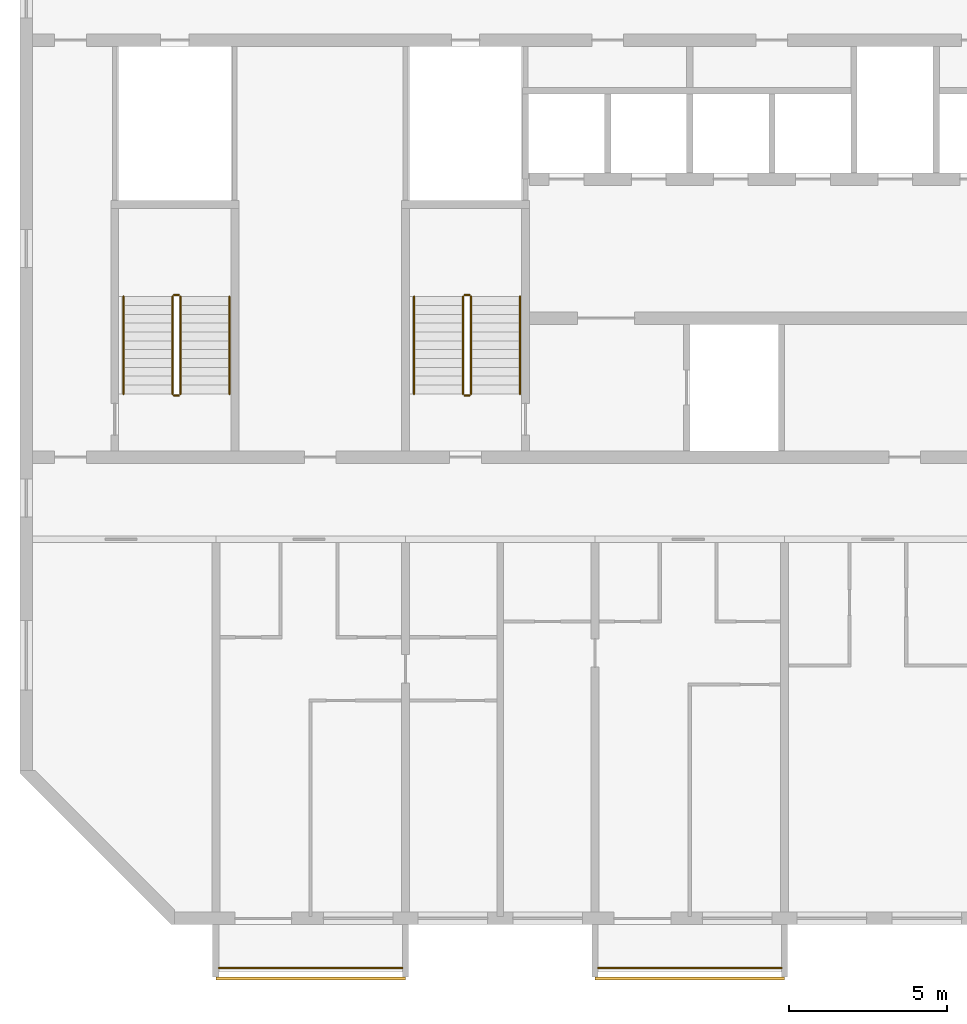
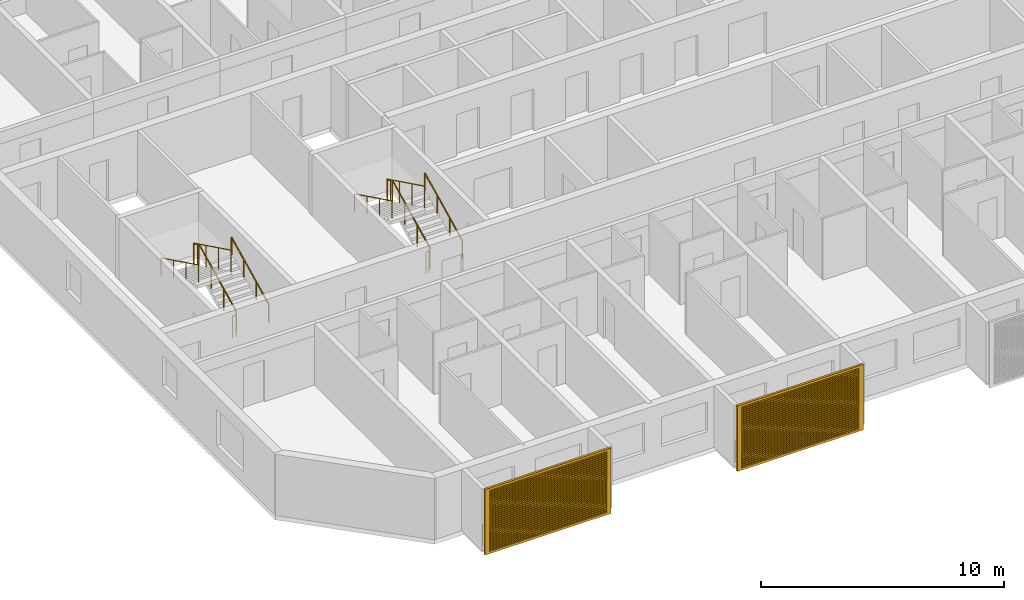
# One storey, part 13 of 27: 14 railings, 2 shading devices.
"""IFC4 building model written with IfcOpenShell, lengths in metres."""

from ifc_helpers import new_model, si_unit, direction, frame, origin, origin_2d, place, context, subcontext, project, spatial, polyline, circle, outline, extrude, source, transform, mapped, material, material_profile, profile_set, type_object, element, save


model = new_model("IFC4")

# Units and contexts
model_context = context("Model", 3, precision=1e-05, world=origin(), true_north=direction((0.0, 1.0)))
body_context = subcontext(model_context, "Body", "Model", "MODEL_VIEW")
ifc_project = project(units=[si_unit("LENGTHUNIT", "METRE"), si_unit("AREAUNIT", "SQUARE_METRE"), si_unit("VOLUMEUNIT", "CUBIC_METRE"), si_unit("PLANEANGLEUNIT", "RADIAN"), si_unit("MASSUNIT", "GRAM", prefix="KILO")], contexts=[model_context])

# Site, building, storey
site_placement = place(None, origin())
site = spatial("IfcSite", under=ifc_project, at=site_placement, CompositionType="ELEMENT")
building_placement = place(site_placement, origin())
building = spatial("IfcBuilding", under=site, at=building_placement, Name="Poui Terraces", CompositionType="ELEMENT")
storey_placement = place(building_placement, frame((0.0, 0.0, 201.60009765625)))
storey = spatial("IfcBuildingStorey", under=building, at=storey_placement, Name="L56", CompositionType="ELEMENT", Elevation=201.60009765625)

# Railings
ifc_material_1 = material(Name="Painted steel fretwork", Category="steel")
railing_type_1 = type_object("IfcRailingType", Name="BALCONY GUARD 1100", PredefinedType="GUARDRAIL", material=ifc_material_1)
for number, where, name in (
    (1, (24.10009765625, -1.570068359375, 0.0), "BALCONY GUARD"),
    (2, (36.10009765625, -1.570068359375, 0.0), "BALCONY GUARD"),
):
    element("IfcRailing", number, at=place(storey_placement, frame(where)), inside=storey, type_object=railing_type_1, Name=name, PredefinedType="GUARDRAIL", context=body_context, shape_type="SweptSolid", body=[
        extrude(circle(Radius=0.02392578125, at=origin_2d()), frame((0.0, 0.0, 1.076171875), z_axis=(1.0, 0.0, 0.0), x_axis=(0.0, 1.0, 0.0)), (0.0, 0.0, 1.0), 5.7998046875),
        extrude(circle(Radius=0.02099609375, at=origin_2d()), origin(), (0.0, 0.0, 1.0), 1.052001953125),
        extrude(circle(Radius=0.02099609375, at=origin_2d()), frame((0.966552734375, 0.0, 0.0)), (0.0, 0.0, 1.0), 1.052001953125),
        extrude(circle(Radius=0.02099609375, at=origin_2d()), frame((1.933349609375, 0.0, 0.0)), (0.0, 0.0, 1.0), 1.052001953125),
        extrude(circle(Radius=0.02099609375, at=origin_2d()), frame((2.89990234375, 0.0, 0.0)), (0.0, 0.0, 1.0), 1.052001953125),
        extrude(circle(Radius=0.02099609375, at=origin_2d()), frame((3.866455078125, 0.0, 0.0)), (0.0, 0.0, 1.0), 1.052001953125),
        extrude(circle(Radius=0.02099609375, at=origin_2d()), frame((4.833251953125, 0.0, 0.0)), (0.0, 0.0, 1.0), 1.052001953125),
        extrude(circle(Radius=0.02099609375, at=origin_2d()), frame((5.7998046875, 0.0, 0.0)), (0.0, 0.0, 1.0), 1.052001953125),
    ])
ifc_material_2 = material(Name="Galvanised steel balustrade", Category="steel")
railing_type_2 = type_object("IfcRailingType", Name="STAIR GUARD 1100", PredefinedType="GUARDRAIL", material=ifc_material_2)
railing_1_placement = place(storey_placement, frame((32.074951171875, 16.60009765625, 0.137451171875)))
element("IfcRailing", 3, at=railing_1_placement, inside=storey, type_object=railing_type_2, Name="L56 ST-CW stair guard 1", PredefinedType="GUARDRAIL", context=body_context, shape_type="SweptSolid", body=[
    extrude(circle(Radius=0.02392578125, at=origin_2d()), frame((0.0, 0.0, 1.076171875), z_axis=(0.0, 0.897606190399, 0.440798283751), x_axis=(-1.0, 0.0, 0.0)), (0.0, 0.0, 1.0), 3.43115234375),
    extrude(circle(Radius=0.02099609375, at=origin_2d()), origin(), (0.0, 0.0, 1.0), 1.052001953125),
    extrude(circle(Radius=0.02099609375, at=origin_2d()), frame((0.0, 1.026611328125, 0.504150390625)), (0.0, 0.0, 1.0), 1.052001953125),
    extrude(circle(Radius=0.02099609375, at=origin_2d()), frame((0.0, 2.05322265625, 1.00830078125)), (0.0, 0.0, 1.0), 1.052001953125),
    extrude(circle(Radius=0.02099609375, at=origin_2d()), frame((0.0, 3.079833984375, 1.512451171875)), (0.0, 0.0, 1.0), 1.052001953125),
])
railing_2_placement = place(storey_placement, frame((32.02490234375, 19.72998046875, 1.64990234375)))
element("IfcRailing", 4, at=railing_2_placement, inside=storey, type_object=railing_type_2, Name="L56 ST-CW stair guard 2", PredefinedType="GUARDRAIL", context=body_context, shape_type="SweptSolid", body=[
    extrude(circle(Radius=0.02392578125, at=origin_2d()), frame((0.0, 0.0, 1.076171875), z_axis=(-1.0, 0.0, 0.0), x_axis=(0.0, -1.0, 0.0)), (0.0, 0.0, 1.0), 0.14990234375),
    extrude(circle(Radius=0.02099609375, at=origin_2d()), origin(), (0.0, 0.0, 1.0), 1.052001953125),
    extrude(circle(Radius=0.02099609375, at=origin_2d()), frame((-0.14990234375, 0.0, 0.0)), (0.0, 0.0, 1.0), 1.052001953125),
])
railing_3_placement = place(storey_placement, frame((31.824951171875, 19.679931640625, 1.787353515625)))
element("IfcRailing", 5, at=railing_3_placement, inside=storey, type_object=railing_type_2, Name="L56 ST-CW stair guard 3", PredefinedType="GUARDRAIL", context=body_context, shape_type="SweptSolid", body=[
    extrude(circle(Radius=0.02392578125, at=origin_2d()), frame((0.0, 0.0, 1.076171875), z_axis=(0.0, -0.897606190399, 0.440798283751), x_axis=(1.0, 0.0, 0.0)), (0.0, 0.0, 1.0), 3.43115234375),
    extrude(circle(Radius=0.02099609375, at=origin_2d()), origin(), (0.0, 0.0, 1.0), 1.052001953125),
    extrude(circle(Radius=0.02099609375, at=origin_2d()), frame((0.0, -1.026611328125, 0.504150390625)), (0.0, 0.0, 1.0), 1.052001953125),
    extrude(circle(Radius=0.02099609375, at=origin_2d()), frame((0.0, -2.05322265625, 1.00830078125)), (0.0, 0.0, 1.0), 1.052001953125),
    extrude(circle(Radius=0.02099609375, at=origin_2d()), frame((0.0, -3.079833984375, 1.512451171875)), (0.0, 0.0, 1.0), 1.052001953125),
])
railing_4_placement = place(storey_placement, frame((32.02490234375, 16.550048828125, 0.0)))
element("IfcRailing", 6, at=railing_4_placement, inside=storey, type_object=railing_type_2, Name="L56 ST-CW stair guard 4", PredefinedType="GUARDRAIL", context=body_context, shape_type="SweptSolid", body=[
    extrude(circle(Radius=0.02392578125, at=origin_2d()), frame((0.0, 0.0, 1.076171875), z_axis=(-1.0, 0.0, 0.0), x_axis=(0.0, -1.0, 0.0)), (0.0, 0.0, 1.0), 0.14990234375),
    extrude(circle(Radius=0.02099609375, at=origin_2d()), origin(), (0.0, 0.0, 1.0), 1.052001953125),
    extrude(circle(Radius=0.02099609375, at=origin_2d()), frame((-0.14990234375, 0.0, 0.0)), (0.0, 0.0, 1.0), 1.052001953125),
])
railing_5_placement = place(storey_placement, frame((22.875, 16.60009765625, 0.137451171875)))
element("IfcRailing", 7, at=railing_5_placement, inside=storey, type_object=railing_type_2, Name="L56 ST-W stair guard 1", PredefinedType="GUARDRAIL", context=body_context, shape_type="SweptSolid", body=[
    extrude(circle(Radius=0.02392578125, at=origin_2d()), frame((0.0, 0.0, 1.076171875), z_axis=(0.0, 0.897606190399, 0.440798283751), x_axis=(-1.0, 0.0, 0.0)), (0.0, 0.0, 1.0), 3.43115234375),
    extrude(circle(Radius=0.02099609375, at=origin_2d()), origin(), (0.0, 0.0, 1.0), 1.052001953125),
    extrude(circle(Radius=0.02099609375, at=origin_2d()), frame((0.0, 1.026611328125, 0.504150390625)), (0.0, 0.0, 1.0), 1.052001953125),
    extrude(circle(Radius=0.02099609375, at=origin_2d()), frame((0.0, 2.05322265625, 1.00830078125)), (0.0, 0.0, 1.0), 1.052001953125),
    extrude(circle(Radius=0.02099609375, at=origin_2d()), frame((0.0, 3.079833984375, 1.512451171875)), (0.0, 0.0, 1.0), 1.052001953125),
])
railing_6_placement = place(storey_placement, frame((22.824951171875, 19.72998046875, 1.64990234375)))
element("IfcRailing", 8, at=railing_6_placement, inside=storey, type_object=railing_type_2, Name="L56 ST-W stair guard 2", PredefinedType="GUARDRAIL", context=body_context, shape_type="SweptSolid", body=[
    extrude(circle(Radius=0.02392578125, at=origin_2d()), frame((0.0, 0.0, 1.076171875), z_axis=(-1.0, 0.0, 0.0), x_axis=(0.0, -1.0, 0.0)), (0.0, 0.0, 1.0), 0.14990234375),
    extrude(circle(Radius=0.02099609375, at=origin_2d()), origin(), (0.0, 0.0, 1.0), 1.052001953125),
    extrude(circle(Radius=0.02099609375, at=origin_2d()), frame((-0.14990234375, 0.0, 0.0)), (0.0, 0.0, 1.0), 1.052001953125),
])
railing_7_placement = place(storey_placement, frame((22.625, 19.679931640625, 1.787353515625)))
element("IfcRailing", 9, at=railing_7_placement, inside=storey, type_object=railing_type_2, Name="L56 ST-W stair guard 3", PredefinedType="GUARDRAIL", context=body_context, shape_type="SweptSolid", body=[
    extrude(circle(Radius=0.02392578125, at=origin_2d()), frame((0.0, 0.0, 1.076171875), z_axis=(0.0, -0.897606190399, 0.440798283751), x_axis=(1.0, 0.0, 0.0)), (0.0, 0.0, 1.0), 3.43115234375),
    extrude(circle(Radius=0.02099609375, at=origin_2d()), origin(), (0.0, 0.0, 1.0), 1.052001953125),
    extrude(circle(Radius=0.02099609375, at=origin_2d()), frame((0.0, -1.026611328125, 0.504150390625)), (0.0, 0.0, 1.0), 1.052001953125),
    extrude(circle(Radius=0.02099609375, at=origin_2d()), frame((0.0, -2.05322265625, 1.00830078125)), (0.0, 0.0, 1.0), 1.052001953125),
    extrude(circle(Radius=0.02099609375, at=origin_2d()), frame((0.0, -3.079833984375, 1.512451171875)), (0.0, 0.0, 1.0), 1.052001953125),
])
railing_8_placement = place(storey_placement, frame((22.824951171875, 16.550048828125, 0.0)))
element("IfcRailing", 10, at=railing_8_placement, inside=storey, type_object=railing_type_2, Name="L56 ST-W stair guard 4", PredefinedType="GUARDRAIL", context=body_context, shape_type="SweptSolid", body=[
    extrude(circle(Radius=0.02392578125, at=origin_2d()), frame((0.0, 0.0, 1.076171875), z_axis=(-1.0, 0.0, 0.0), x_axis=(0.0, -1.0, 0.0)), (0.0, 0.0, 1.0), 0.14990234375),
    extrude(circle(Radius=0.02099609375, at=origin_2d()), origin(), (0.0, 0.0, 1.0), 1.052001953125),
    extrude(circle(Radius=0.02099609375, at=origin_2d()), frame((-0.14990234375, 0.0, 0.0)), (0.0, 0.0, 1.0), 1.052001953125),
])
ifc_material_3 = material(Name="Stainless steel handrail", Category="steel")
railing_type_3 = type_object("IfcRailingType", Name="STAIR HANDRAIL 900", PredefinedType="HANDRAIL", material=ifc_material_3)
railing_9_placement = place(storey_placement, frame((33.625, 16.60009765625, 0.137451171875)))
element("IfcRailing", 11, at=railing_9_placement, inside=storey, type_object=railing_type_3, Name="L56 ST-CW stair handrail 1", PredefinedType="HANDRAIL", context=body_context, shape_type="SweptSolid", body=[
    extrude(circle(Radius=0.02392578125, at=origin_2d()), frame((0.0, 0.0, 0.8759765625), z_axis=(0.0, 0.897606190399, 0.440798283751), x_axis=(-1.0, 0.0, 0.0)), (0.0, 0.0, 1.0), 3.43115234375),
    extrude(circle(Radius=0.02099609375, at=origin_2d()), origin(), (0.0, 0.0, 1.0), 0.851806640625),
    extrude(circle(Radius=0.02099609375, at=origin_2d()), frame((0.0, 1.026611328125, 0.504150390625)), (0.0, 0.0, 1.0), 0.851806640625),
    extrude(circle(Radius=0.02099609375, at=origin_2d()), frame((0.0, 2.05322265625, 1.00830078125)), (0.0, 0.0, 1.0), 0.851806640625),
    extrude(circle(Radius=0.02099609375, at=origin_2d()), frame((0.0, 3.079833984375, 1.512451171875)), (0.0, 0.0, 1.0), 0.851806640625),
])
railing_10_placement = place(storey_placement, frame((30.27490234375, 19.679931640625, 1.787353515625)))
element("IfcRailing", 12, at=railing_10_placement, inside=storey, type_object=railing_type_3, Name="L56 ST-CW stair handrail 2", PredefinedType="HANDRAIL", context=body_context, shape_type="SweptSolid", body=[
    extrude(circle(Radius=0.02392578125, at=origin_2d()), frame((0.0, 0.0, 0.8759765625), z_axis=(0.0, -0.897606190399, 0.440798283751), x_axis=(1.0, 0.0, 0.0)), (0.0, 0.0, 1.0), 3.43115234375),
    extrude(circle(Radius=0.02099609375, at=origin_2d()), origin(), (0.0, 0.0, 1.0), 0.851806640625),
    extrude(circle(Radius=0.02099609375, at=origin_2d()), frame((0.0, -1.026611328125, 0.504150390625)), (0.0, 0.0, 1.0), 0.851806640625),
    extrude(circle(Radius=0.02099609375, at=origin_2d()), frame((0.0, -2.05322265625, 1.00830078125)), (0.0, 0.0, 1.0), 0.851806640625),
    extrude(circle(Radius=0.02099609375, at=origin_2d()), frame((0.0, -3.079833984375, 1.512451171875)), (0.0, 0.0, 1.0), 0.851806640625),
])
railing_11_placement = place(storey_placement, frame((24.425048828125, 16.60009765625, 0.137451171875)))
element("IfcRailing", 13, at=railing_11_placement, inside=storey, type_object=railing_type_3, Name="L56 ST-W stair handrail 1", PredefinedType="HANDRAIL", context=body_context, shape_type="SweptSolid", body=[
    extrude(circle(Radius=0.02392578125, at=origin_2d()), frame((0.0, 0.0, 0.8759765625), z_axis=(0.0, 0.897606190399, 0.440798283751), x_axis=(-1.0, 0.0, 0.0)), (0.0, 0.0, 1.0), 3.43115234375),
    extrude(circle(Radius=0.02099609375, at=origin_2d()), origin(), (0.0, 0.0, 1.0), 0.851806640625),
    extrude(circle(Radius=0.02099609375, at=origin_2d()), frame((0.0, 1.026611328125, 0.504150390625)), (0.0, 0.0, 1.0), 0.851806640625),
    extrude(circle(Radius=0.02099609375, at=origin_2d()), frame((0.0, 2.05322265625, 1.00830078125)), (0.0, 0.0, 1.0), 0.851806640625),
    extrude(circle(Radius=0.02099609375, at=origin_2d()), frame((0.0, 3.079833984375, 1.512451171875)), (0.0, 0.0, 1.0), 0.851806640625),
])
railing_12_placement = place(storey_placement, frame((21.074951171875, 19.679931640625, 1.787353515625)))
element("IfcRailing", 14, at=railing_12_placement, inside=storey, type_object=railing_type_3, Name="L56 ST-W stair handrail 2", PredefinedType="HANDRAIL", context=body_context, shape_type="SweptSolid", body=[
    extrude(circle(Radius=0.02392578125, at=origin_2d()), frame((0.0, 0.0, 0.8759765625), z_axis=(0.0, -0.897606190399, 0.440798283751), x_axis=(1.0, 0.0, 0.0)), (0.0, 0.0, 1.0), 3.43115234375),
    extrude(circle(Radius=0.02099609375, at=origin_2d()), origin(), (0.0, 0.0, 1.0), 0.851806640625),
    extrude(circle(Radius=0.02099609375, at=origin_2d()), frame((0.0, -1.026611328125, 0.504150390625)), (0.0, 0.0, 1.0), 0.851806640625),
    extrude(circle(Radius=0.02099609375, at=origin_2d()), frame((0.0, -2.05322265625, 1.00830078125)), (0.0, 0.0, 1.0), 0.851806640625),
    extrude(circle(Radius=0.02099609375, at=origin_2d()), frame((0.0, -3.079833984375, 1.512451171875)), (0.0, 0.0, 1.0), 0.851806640625),
])

# Shading devices
ifc_material_4 = material(Name="Aluminium louvre", Category="aluminium")
ifc_material_profile = material_profile(ifc_material_4, outline(polyline([(-3.0, -1.64990234375), (3.0, -1.64990234375), (3.0, 1.64990234375), (-3.0, 1.64990234375), (-3.0, -1.64990234375)]), holes=[polyline([(-2.800048828125, -1.530029296875), (2.800048828125, -1.530029296875), (2.800048828125, -1.469970703125), (-2.800048828125, -1.469970703125), (-2.800048828125, -1.530029296875)]), polyline([(-2.800048828125, -1.429931640625), (2.800048828125, -1.429931640625), (2.800048828125, -1.3701171875), (-2.800048828125, -1.3701171875), (-2.800048828125, -1.429931640625)]), polyline([(-2.800048828125, -1.330078125), (2.800048828125, -1.330078125), (2.800048828125, -1.27001953125), (-2.800048828125, -1.27001953125), (-2.800048828125, -1.330078125)]), polyline([(-2.800048828125, -1.22998046875), (2.800048828125, -1.22998046875), (2.800048828125, -1.169921875), (-2.800048828125, -1.169921875), (-2.800048828125, -1.22998046875)]), polyline([(-2.800048828125, -1.1298828125), (2.800048828125, -1.1298828125), (2.800048828125, -1.070068359375), (-2.800048828125, -1.070068359375), (-2.800048828125, -1.1298828125)]), polyline([(-2.800048828125, -1.030029296875), (2.800048828125, -1.030029296875), (2.800048828125, -0.969970703125), (-2.800048828125, -0.969970703125), (-2.800048828125, -1.030029296875)]), polyline([(-2.800048828125, -0.929931640625), (2.800048828125, -0.929931640625), (2.800048828125, -0.8701171875), (-2.800048828125, -0.8701171875), (-2.800048828125, -0.929931640625)]), polyline([(-2.800048828125, -0.830078125), (2.800048828125, -0.830078125), (2.800048828125, -0.77001953125), (-2.800048828125, -0.77001953125), (-2.800048828125, -0.830078125)]), polyline([(-2.800048828125, -0.72998046875), (2.800048828125, -0.72998046875), (2.800048828125, -0.669921875), (-2.800048828125, -0.669921875), (-2.800048828125, -0.72998046875)]), polyline([(-2.800048828125, -0.6298828125), (2.800048828125, -0.6298828125), (2.800048828125, -0.570068359375), (-2.800048828125, -0.570068359375), (-2.800048828125, -0.6298828125)]), polyline([(-2.800048828125, -0.530029296875), (2.800048828125, -0.530029296875), (2.800048828125, -0.469970703125), (-2.800048828125, -0.469970703125), (-2.800048828125, -0.530029296875)]), polyline([(-2.800048828125, -0.429931640625), (2.800048828125, -0.429931640625), (2.800048828125, -0.3701171875), (-2.800048828125, -0.3701171875), (-2.800048828125, -0.429931640625)]), polyline([(-2.800048828125, -0.330078125), (2.800048828125, -0.330078125), (2.800048828125, -0.27001953125), (-2.800048828125, -0.27001953125), (-2.800048828125, -0.330078125)]), polyline([(-2.800048828125, -0.22998046875), (2.800048828125, -0.22998046875), (2.800048828125, -0.169921875), (-2.800048828125, -0.169921875), (-2.800048828125, -0.22998046875)]), polyline([(-2.800048828125, -0.1298828125), (2.800048828125, -0.1298828125), (2.800048828125, -0.070068359375), (-2.800048828125, -0.070068359375), (-2.800048828125, -0.1298828125)]), polyline([(-2.800048828125, -0.030029296875), (2.800048828125, -0.030029296875), (2.800048828125, 0.030029296875), (-2.800048828125, 0.030029296875), (-2.800048828125, -0.030029296875)]), polyline([(-2.800048828125, 0.070068359375), (2.800048828125, 0.070068359375), (2.800048828125, 0.1298828125), (-2.800048828125, 0.1298828125), (-2.800048828125, 0.070068359375)]), polyline([(-2.800048828125, 0.169921875), (2.800048828125, 0.169921875), (2.800048828125, 0.22998046875), (-2.800048828125, 0.22998046875), (-2.800048828125, 0.169921875)]), polyline([(-2.800048828125, 0.27001953125), (2.800048828125, 0.27001953125), (2.800048828125, 0.330078125), (-2.800048828125, 0.330078125), (-2.800048828125, 0.27001953125)]), polyline([(-2.800048828125, 0.3701171875), (2.800048828125, 0.3701171875), (2.800048828125, 0.429931640625), (-2.800048828125, 0.429931640625), (-2.800048828125, 0.3701171875)]), polyline([(-2.800048828125, 0.469970703125), (2.800048828125, 0.469970703125), (2.800048828125, 0.530029296875), (-2.800048828125, 0.530029296875), (-2.800048828125, 0.469970703125)]), polyline([(-2.800048828125, 0.570068359375), (2.800048828125, 0.570068359375), (2.800048828125, 0.6298828125), (-2.800048828125, 0.6298828125), (-2.800048828125, 0.570068359375)]), polyline([(-2.800048828125, 0.669921875), (2.800048828125, 0.669921875), (2.800048828125, 0.72998046875), (-2.800048828125, 0.72998046875), (-2.800048828125, 0.669921875)]), polyline([(-2.800048828125, 0.77001953125), (2.800048828125, 0.77001953125), (2.800048828125, 0.830078125), (-2.800048828125, 0.830078125), (-2.800048828125, 0.77001953125)]), polyline([(-2.800048828125, 0.8701171875), (2.800048828125, 0.8701171875), (2.800048828125, 0.929931640625), (-2.800048828125, 0.929931640625), (-2.800048828125, 0.8701171875)]), polyline([(-2.800048828125, 0.969970703125), (2.800048828125, 0.969970703125), (2.800048828125, 1.030029296875), (-2.800048828125, 1.030029296875), (-2.800048828125, 0.969970703125)]), polyline([(-2.800048828125, 1.070068359375), (2.800048828125, 1.070068359375), (2.800048828125, 1.1298828125), (-2.800048828125, 1.1298828125), (-2.800048828125, 1.070068359375)]), polyline([(-2.800048828125, 1.169921875), (2.800048828125, 1.169921875), (2.800048828125, 1.22998046875), (-2.800048828125, 1.22998046875), (-2.800048828125, 1.169921875)]), polyline([(-2.800048828125, 1.27001953125), (2.800048828125, 1.27001953125), (2.800048828125, 1.330078125), (-2.800048828125, 1.330078125), (-2.800048828125, 1.27001953125)]), polyline([(-2.800048828125, 1.3701171875), (2.800048828125, 1.3701171875), (2.800048828125, 1.429931640625), (-2.800048828125, 1.429931640625), (-2.800048828125, 1.3701171875)]), polyline([(-2.800048828125, 1.469970703125), (2.800048828125, 1.469970703125), (2.800048828125, 1.530029296875), (-2.800048828125, 1.530029296875), (-2.800048828125, 1.469970703125)])]), Name="JALOUSIE LOUVRE SHUTTER 6000X3300")
ifc_profile_set = profile_set([ifc_material_profile], Name="Aluminium louvre")
shading_device_type = type_object("IfcShadingDeviceType", Name="JALOUSIE LOUVRE SHUTTER 6000X3300", PredefinedType="JALOUSIE", material=ifc_profile_set)
shared_shape = source(origin(), body_context, "Body", "SweptSolid", [
    extrude(outline(polyline([(-3.0, -1.64990234375), (3.0, -1.64990234375), (3.0, 1.64990234375), (-3.0, 1.64990234375), (-3.0, -1.64990234375)]), holes=[polyline([(-2.800048828125, -1.530029296875), (2.800048828125, -1.530029296875), (2.800048828125, -1.469970703125), (-2.800048828125, -1.469970703125), (-2.800048828125, -1.530029296875)]), polyline([(-2.800048828125, -1.429931640625), (2.800048828125, -1.429931640625), (2.800048828125, -1.3701171875), (-2.800048828125, -1.3701171875), (-2.800048828125, -1.429931640625)]), polyline([(-2.800048828125, -1.330078125), (2.800048828125, -1.330078125), (2.800048828125, -1.27001953125), (-2.800048828125, -1.27001953125), (-2.800048828125, -1.330078125)]), polyline([(-2.800048828125, -1.22998046875), (2.800048828125, -1.22998046875), (2.800048828125, -1.169921875), (-2.800048828125, -1.169921875), (-2.800048828125, -1.22998046875)]), polyline([(-2.800048828125, -1.1298828125), (2.800048828125, -1.1298828125), (2.800048828125, -1.070068359375), (-2.800048828125, -1.070068359375), (-2.800048828125, -1.1298828125)]), polyline([(-2.800048828125, -1.030029296875), (2.800048828125, -1.030029296875), (2.800048828125, -0.969970703125), (-2.800048828125, -0.969970703125), (-2.800048828125, -1.030029296875)]), polyline([(-2.800048828125, -0.929931640625), (2.800048828125, -0.929931640625), (2.800048828125, -0.8701171875), (-2.800048828125, -0.8701171875), (-2.800048828125, -0.929931640625)]), polyline([(-2.800048828125, -0.830078125), (2.800048828125, -0.830078125), (2.800048828125, -0.77001953125), (-2.800048828125, -0.77001953125), (-2.800048828125, -0.830078125)]), polyline([(-2.800048828125, -0.72998046875), (2.800048828125, -0.72998046875), (2.800048828125, -0.669921875), (-2.800048828125, -0.669921875), (-2.800048828125, -0.72998046875)]), polyline([(-2.800048828125, -0.6298828125), (2.800048828125, -0.6298828125), (2.800048828125, -0.570068359375), (-2.800048828125, -0.570068359375), (-2.800048828125, -0.6298828125)]), polyline([(-2.800048828125, -0.530029296875), (2.800048828125, -0.530029296875), (2.800048828125, -0.469970703125), (-2.800048828125, -0.469970703125), (-2.800048828125, -0.530029296875)]), polyline([(-2.800048828125, -0.429931640625), (2.800048828125, -0.429931640625), (2.800048828125, -0.3701171875), (-2.800048828125, -0.3701171875), (-2.800048828125, -0.429931640625)]), polyline([(-2.800048828125, -0.330078125), (2.800048828125, -0.330078125), (2.800048828125, -0.27001953125), (-2.800048828125, -0.27001953125), (-2.800048828125, -0.330078125)]), polyline([(-2.800048828125, -0.22998046875), (2.800048828125, -0.22998046875), (2.800048828125, -0.169921875), (-2.800048828125, -0.169921875), (-2.800048828125, -0.22998046875)]), polyline([(-2.800048828125, -0.1298828125), (2.800048828125, -0.1298828125), (2.800048828125, -0.070068359375), (-2.800048828125, -0.070068359375), (-2.800048828125, -0.1298828125)]), polyline([(-2.800048828125, -0.030029296875), (2.800048828125, -0.030029296875), (2.800048828125, 0.030029296875), (-2.800048828125, 0.030029296875), (-2.800048828125, -0.030029296875)]), polyline([(-2.800048828125, 0.070068359375), (2.800048828125, 0.070068359375), (2.800048828125, 0.1298828125), (-2.800048828125, 0.1298828125), (-2.800048828125, 0.070068359375)]), polyline([(-2.800048828125, 0.169921875), (2.800048828125, 0.169921875), (2.800048828125, 0.22998046875), (-2.800048828125, 0.22998046875), (-2.800048828125, 0.169921875)]), polyline([(-2.800048828125, 0.27001953125), (2.800048828125, 0.27001953125), (2.800048828125, 0.330078125), (-2.800048828125, 0.330078125), (-2.800048828125, 0.27001953125)]), polyline([(-2.800048828125, 0.3701171875), (2.800048828125, 0.3701171875), (2.800048828125, 0.429931640625), (-2.800048828125, 0.429931640625), (-2.800048828125, 0.3701171875)]), polyline([(-2.800048828125, 0.469970703125), (2.800048828125, 0.469970703125), (2.800048828125, 0.530029296875), (-2.800048828125, 0.530029296875), (-2.800048828125, 0.469970703125)]), polyline([(-2.800048828125, 0.570068359375), (2.800048828125, 0.570068359375), (2.800048828125, 0.6298828125), (-2.800048828125, 0.6298828125), (-2.800048828125, 0.570068359375)]), polyline([(-2.800048828125, 0.669921875), (2.800048828125, 0.669921875), (2.800048828125, 0.72998046875), (-2.800048828125, 0.72998046875), (-2.800048828125, 0.669921875)]), polyline([(-2.800048828125, 0.77001953125), (2.800048828125, 0.77001953125), (2.800048828125, 0.830078125), (-2.800048828125, 0.830078125), (-2.800048828125, 0.77001953125)]), polyline([(-2.800048828125, 0.8701171875), (2.800048828125, 0.8701171875), (2.800048828125, 0.929931640625), (-2.800048828125, 0.929931640625), (-2.800048828125, 0.8701171875)]), polyline([(-2.800048828125, 0.969970703125), (2.800048828125, 0.969970703125), (2.800048828125, 1.030029296875), (-2.800048828125, 1.030029296875), (-2.800048828125, 0.969970703125)]), polyline([(-2.800048828125, 1.070068359375), (2.800048828125, 1.070068359375), (2.800048828125, 1.1298828125), (-2.800048828125, 1.1298828125), (-2.800048828125, 1.070068359375)]), polyline([(-2.800048828125, 1.169921875), (2.800048828125, 1.169921875), (2.800048828125, 1.22998046875), (-2.800048828125, 1.22998046875), (-2.800048828125, 1.169921875)]), polyline([(-2.800048828125, 1.27001953125), (2.800048828125, 1.27001953125), (2.800048828125, 1.330078125), (-2.800048828125, 1.330078125), (-2.800048828125, 1.27001953125)]), polyline([(-2.800048828125, 1.3701171875), (2.800048828125, 1.3701171875), (2.800048828125, 1.429931640625), (-2.800048828125, 1.429931640625), (-2.800048828125, 1.3701171875)]), polyline([(-2.800048828125, 1.469970703125), (2.800048828125, 1.469970703125), (2.800048828125, 1.530029296875), (-2.800048828125, 1.530029296875), (-2.800048828125, 1.469970703125)])]), origin(), (0.0, 0.0, 1.0), 0.099853515625),
])
for number, where, z_axis, x_axis, name in (
    (15, (27.0, -1.85009765625, 1.449951171875), (0.0, -1.0, 0.0), (1.0, 0.0, 0.0), "JALOUSIE LOUVRE SHUTTER"),
    (16, (39.0, -1.85009765625, 1.449951171875), (0.0, -1.0, 0.0), (1.0, 0.0, 0.0), "JALOUSIE LOUVRE SHUTTER"),
):
    element("IfcShadingDevice", number, at=place(storey_placement, frame(where, z_axis=z_axis, x_axis=x_axis)), inside=storey, type_object=shading_device_type, Name=name, PredefinedType="JALOUSIE", context=body_context, shape_type="MappedRepresentation", body=[
        mapped(shared_shape, transform((0.0, 0.0, 0.0))),
    ])

save(model, "model.ifc")
